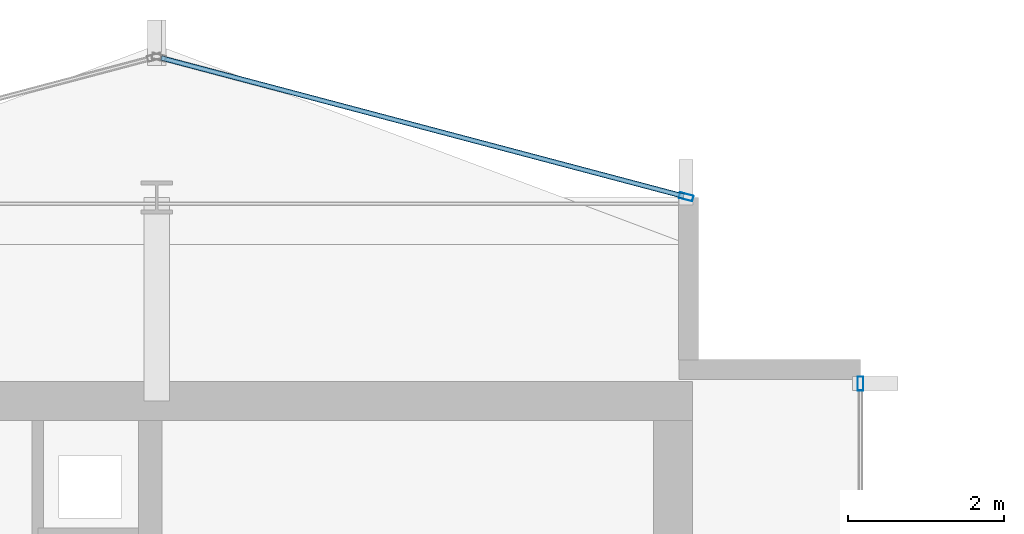
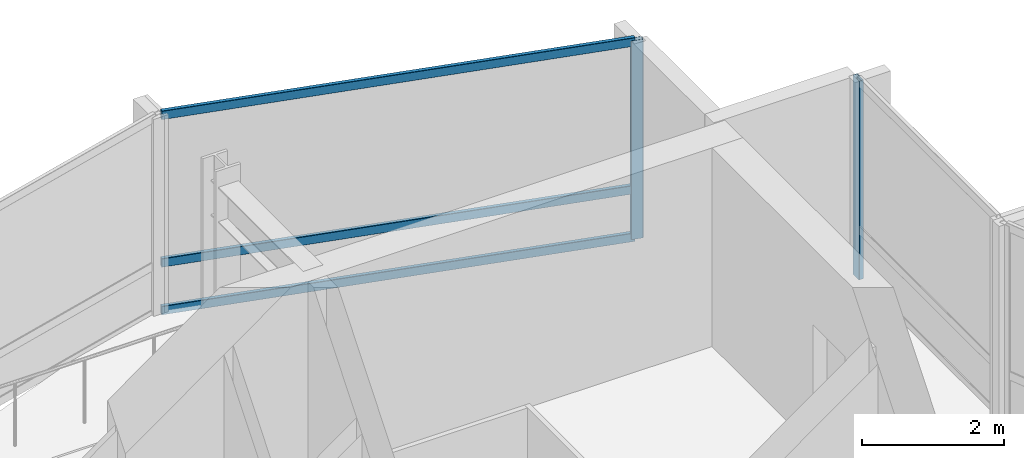
# One storey, part 18 of 27: 5 members, 2 elements without a shape of their own.
"""IFC4 building model written with IfcOpenShell, lengths in metres."""

import ifcopenshell
import ifcopenshell.guid

model = None  # the IFC model being written
_history = None  # IfcOwnerHistory: only IFC2X3 demands one
_inside = {}  # id of a spatial element -> (the spatial element, [elements in it])
_under = {}  # id of a project, library or spatial element -> (it, [spatial elements below it])
_declared = {}  # id of a project -> (the project, [libraries it declares])
_typed = {}  # id of a type object -> (the type object, [elements of that type])
_made_of = {}  # id of a material, layer set ... -> (it, [elements and type objects made of it])


def new_model(schema):
    """Start an empty IFC model of exactly this schema.

    Asked for "IFC4X3", IfcOpenShell would pick the latest addendum, in which some entities
    have other attributes; the version numbers below select the first issue.
    IFC2X3 requires an IfcOwnerHistory on every rooted entity: one is made here for all.
    """
    global model, _history
    if schema == "IFC4X3":
        model = ifcopenshell.file(schema_version=(4, 3, 0, 0))
    else:
        model = ifcopenshell.file(schema=schema)
    _inside.clear()
    _under.clear()
    _declared.clear()
    _typed.clear()
    _made_of.clear()
    _history = None
    if model.schema == "IFC2X3":
        org = make("IfcOrganization", Name="unknown")
        user = make(
            "IfcPersonAndOrganization",
            ThePerson=make("IfcPerson", FamilyName="unknown"),
            TheOrganization=org,
        )
        app = make(
            "IfcApplication",
            ApplicationDeveloper=org,
            Version="unknown",
            ApplicationFullName="unknown",
            ApplicationIdentifier="unknown",
        )
        _history = make(
            "IfcOwnerHistory",
            OwningUser=user,
            OwningApplication=app,
            ChangeAction="ADDED",
            CreationDate=0,
        )
    return model


def make(cls, **values):
    """One entity of the class cls with the attributes given. An attribute that is None is left unset."""
    return model.create_entity(
        cls, **{name: value for name, value in values.items() if value is not None}
    )


def rooted(cls, **values):
    """An entity with a GlobalId (a new one), such as an element, a storey or a relation."""
    return make(cls, GlobalId=ifcopenshell.guid.new(), OwnerHistory=_history, **values)


def si_unit(unit_type, name, prefix=None):
    """IfcSIUnit, for example si_unit("LENGTHUNIT", "METRE", prefix="MILLI")."""
    return make("IfcSIUnit", UnitType=unit_type, Prefix=prefix, Name=name)


def assignment(units):
    """IfcUnitAssignment: the units of a project."""
    return None if units is None else make("IfcUnitAssignment", Units=units)


def point(xyz):
    """IfcCartesianPoint."""
    return None if xyz is None else make("IfcCartesianPoint", Coordinates=xyz)


def direction(xyz):
    """IfcDirection."""
    return None if xyz is None else make("IfcDirection", DirectionRatios=xyz)


def frame(location, z_axis=None, x_axis=None):
    """IfcAxis2Placement3D, a coordinate frame: its origin and axes. An axis left out is left unset."""
    return make(
        "IfcAxis2Placement3D",
        Location=point(location),
        Axis=direction(z_axis),
        RefDirection=direction(x_axis),
    )


def frame_2d(location, x_axis=None):
    """IfcAxis2Placement2D, a coordinate frame in the plane: its origin and x axis."""
    return make(
        "IfcAxis2Placement2D", Location=point(location), RefDirection=direction(x_axis)
    )


def origin():
    """The frame at (0, 0, 0) with its axes left unset."""
    return frame((0.0, 0.0, 0.0))


def origin_2d():
    """The frame at (0, 0) in the plane with its x axis left unset."""
    return frame_2d((0.0, 0.0))


def place(relative_to, where):
    """IfcLocalPlacement: puts the frame where relative to a parent placement (None: the world)."""
    return make(
        "IfcLocalPlacement", PlacementRelTo=relative_to, RelativePlacement=where
    )


def context(
    kind, dimensions, precision=None, world=None, true_north=None, identifier=None
):
    """IfcGeometricRepresentationContext, for example the 3D "Model" context."""
    return make(
        "IfcGeometricRepresentationContext",
        ContextIdentifier=identifier,
        ContextType=kind,
        CoordinateSpaceDimension=dimensions,
        Precision=precision,
        WorldCoordinateSystem=world,
        TrueNorth=true_north,
    )


def subcontext(parent, identifier, kind, view, scale=None):
    """IfcGeometricRepresentationSubContext, for example "Body" below "Model"."""
    return make(
        "IfcGeometricRepresentationSubContext",
        ContextIdentifier=identifier,
        ContextType=kind,
        ParentContext=parent,
        TargetScale=scale,
        TargetView=view,
    )


def project(units=None, contexts=None):
    """IfcProject with its units and contexts."""
    return rooted(
        "IfcProject",
        Name="project",
        RepresentationContexts=contexts,
        UnitsInContext=assignment(units),
    )


def spatial(cls, under=None, at=None, **own):
    """A site, building, storey or space (cls), placed at a placement, below another one or the project."""
    s = rooted(cls, ObjectPlacement=at, **own)
    if under is not None:
        _under.setdefault(under.id(), (under, []))[1].append(s)
    return s


def profile(cls, at=None, kind="AREA", **sizes):
    """A parametric profile (cls). Its sizes go by their IFC names, for example OverallWidth=200.0."""
    return make(cls, ProfileType=kind, Position=at, **sizes)


def hollow_rectangle(**sizes):
    """IfcRectangleHollowProfileDef."""
    return profile("IfcRectangleHollowProfileDef", **sizes)


def extrude(swept, where, along, depth):
    """IfcExtrudedAreaSolid: the profile swept, set in the frame where, extruded along a direction by depth."""
    return make(
        "IfcExtrudedAreaSolid",
        SweptArea=swept,
        Position=where,
        ExtrudedDirection=direction(along),
        Depth=depth,
    )


def shape(context_of_items, identifier, shape_type, items):
    """IfcShapeRepresentation: the items that make up one representation, for example the "Body"."""
    return make(
        "IfcShapeRepresentation",
        ContextOfItems=context_of_items,
        RepresentationIdentifier=identifier,
        RepresentationType=shape_type,
        Items=items,
    )


def material(Name=None, Category=None):
    """IfcMaterial."""
    return make("IfcMaterial", Name=Name, Category=Category)


def layer(
    of_material, thickness, ventilated=None, Name=None, Category=None, Priority=None
):
    """IfcMaterialLayer: one layer of a wall or slab, of a material (None: an air gap)."""
    return make(
        "IfcMaterialLayer",
        Material=of_material,
        LayerThickness=thickness,
        IsVentilated=ventilated,
        Name=Name,
        Category=Category,
        Priority=Priority,
    )


def layer_set(layers, Name=None):
    """IfcMaterialLayerSet."""
    return make("IfcMaterialLayerSet", MaterialLayers=layers, LayerSetName=Name)


def material_profile(
    of_material, cross_section, Name=None, Category=None, Priority=None
):
    """IfcMaterialProfile: a cross section and its material."""
    return make(
        "IfcMaterialProfile",
        Name=Name,
        Material=of_material,
        Profile=cross_section,
        Priority=Priority,
        Category=Category,
    )


def profile_set(profiles, Name=None, composite=None):
    """IfcMaterialProfileSet."""
    return make(
        "IfcMaterialProfileSet",
        Name=Name,
        MaterialProfiles=profiles,
        CompositeProfile=composite,
    )


def made_of(thing, what):
    """Note that an element or type object is made of a material, layer set ...; save() writes the relation."""
    if what is not None:
        _made_of.setdefault(what.id(), (what, []))[1].append(thing)
    return thing


def type_object(cls, material=None, **own):
    """A type object (cls), such as IfcWallType, which elements share."""
    return made_of(rooted(cls, **own), material)


def element(
    cls,
    number,
    at=None,
    inside=None,
    cuts=None,
    type_object=None,
    material=None,
    context=None,
    identifier="Body",
    shape_type=None,
    held_by="IfcProductDefinitionShape",
    body=None,
    shapes=None,
    **own,
):
    """One element of the class cls, such as IfcWall. Its Tag is "e" and its number.

    at: its placement. inside: the storey or other place that contains it. cuts: it is an
    opening in that element (IfcRelVoidsElement). A single representation is given by context,
    identifier, shape_type and body (its items); several are given by shapes. held_by: the class
    of the entity that holds the representations. save() writes the other relations.
    """
    e = rooted(cls, Tag="e%d" % number, ObjectPlacement=at, **own)
    if body is not None:
        shapes = [shape(context, identifier, shape_type, body)]
    if shapes is not None:
        e.Representation = make(held_by, Representations=shapes)
    if inside is not None:
        _inside.setdefault(inside.id(), (inside, []))[1].append(e)
    if cuts is not None:
        rooted(
            "IfcRelVoidsElement", RelatingBuildingElement=cuts, RelatedOpeningElement=e
        )
    if type_object is not None:
        _typed.setdefault(type_object.id(), (type_object, []))[1].append(e)
    return made_of(e, material)


def aggregate(whole, parts):
    """IfcRelAggregates: a whole, such as a stair, and the parts it consists of."""
    return rooted("IfcRelAggregates", RelatingObject=whole, RelatedObjects=parts)


def save(model, path):
    """Write the relations noted so far, then the file.

    IfcRelAggregates (storeys below a building ...), IfcRelContainedInSpatialStructure (elements
    in a storey), IfcRelDefinesByType, IfcRelAssociatesMaterial and IfcRelDeclares: one each for
    every whole, place, type object, material and project.
    """
    for whole, parts in _under.values():
        aggregate(whole, parts)
    for where, things in _inside.values():
        rooted(
            "IfcRelContainedInSpatialStructure",
            RelatedElements=things,
            RelatingStructure=where,
        )
    for kind, things in _typed.values():
        rooted("IfcRelDefinesByType", RelatedObjects=things, RelatingType=kind)
    for what, things in _made_of.values():
        rooted("IfcRelAssociatesMaterial", RelatedObjects=things, RelatingMaterial=what)
    for by, libraries in _declared.values():
        rooted("IfcRelDeclares", RelatingContext=by, RelatedDefinitions=libraries)
    model.write(path)


model = new_model("IFC4")

# Units and contexts
model_context = context("Model", 3, precision=1e-05, world=origin(), true_north=direction((0.0, 1.0)))
body_context = subcontext(model_context, "Body", "Model", "MODEL_VIEW")
ifc_project = project(units=[si_unit("LENGTHUNIT", "METRE"), si_unit("AREAUNIT", "SQUARE_METRE"), si_unit("VOLUMEUNIT", "CUBIC_METRE"), si_unit("PLANEANGLEUNIT", "RADIAN"), si_unit("MASSUNIT", "GRAM", prefix="KILO")], contexts=[model_context])

# Site, building, storey
site_placement = place(None, origin())
site = spatial("IfcSite", under=ifc_project, at=site_placement, CompositionType="ELEMENT")
building_placement = place(site_placement, origin())
building = spatial("IfcBuilding", under=site, at=building_placement, Name="Solvaryn Broadcast Tower", CompositionType="ELEMENT")
storey_placement = place(building_placement, frame((0.0, 0.0, 181.60009765625)))
storey = spatial("IfcBuildingStorey", under=building, at=storey_placement, Name="L45", CompositionType="ELEMENT", Elevation=181.60009765625)

# Curtain wall, member
ifc_material_1 = material(Name="Aluminium and Terracotta Unitised Curtain Wall", Category="masonry")
ifc_layer = layer(ifc_material_1, 0.199951171875)
ifc_layer_set = layer_set([ifc_layer], Name="CW-SYS2-LOWMID")
curtain_wall_type = type_object("IfcCurtainWallType", Name="CW-SYS2-LOWMID", PredefinedType="NOTDEFINED", material=ifc_layer_set)
curtain_wall_1_placement = place(storey_placement, origin())
curtain_wall_1 = element("IfcCurtainWall", 1, at=curtain_wall_1_placement, inside=storey, type_object=curtain_wall_type, Name="L45 Curtain Wall IV", PredefinedType="NOTDEFINED")
ifc_material_2 = material(Name="Anodised Aluminium 6063-T6", Category="aluminium")
ifc_material_profile_1 = material_profile(ifc_material_2, hollow_rectangle(XDim=0.074951171875, YDim=0.179931640625, WallThickness=0.00390625, InnerFilletRadius=0.00390625, OuterFilletRadius=0.008056640625, at=origin_2d()))
ifc_profile_set_1 = profile_set([ifc_material_profile_1], Name="Anodised Aluminium 6063-T6")
member_type_1 = type_object("IfcMemberType", Name="CW-MUL-180", PredefinedType="MULLION", material=ifc_profile_set_1)
member_1_placement = place(storey_placement, frame((27.0, 42.6201171875, 0.0), z_axis=(0.0, 0.0, 1.0), x_axis=(1.0, 0.0, 0.0)))
member_1 = element("IfcMember", 2, at=member_1_placement, type_object=member_type_1, Name="CWS2 mullion 1", PredefinedType="MULLION", context=body_context, shape_type="SweptSolid", body=[
    extrude(hollow_rectangle(XDim=0.074951171875, YDim=0.179931640625, WallThickness=0.00390625, InnerFilletRadius=0.00390625, OuterFilletRadius=0.008056640625, at=origin_2d()), origin(), (0.0, 0.0, 1.0), 3.419921875),
])
aggregate(curtain_wall_1, [member_1])

# Curtain wall, members
curtain_wall_2_placement = place(storey_placement, origin())
curtain_wall_2 = element("IfcCurtainWall", 3, at=curtain_wall_2_placement, inside=storey, type_object=curtain_wall_type, Name="L45 Curtain Wall NT1", PredefinedType="NOTDEFINED")
member_2_placement = place(storey_placement, frame((24.77099609375, 45.007568359375, 0.0), z_axis=(0.0, 0.0, 1.0), x_axis=(-0.25589256031, -0.966705227863, 0.0)))
member_2 = element("IfcMember", 4, at=member_2_placement, type_object=member_type_1, Name="CWS2 mullion 1", PredefinedType="MULLION", context=body_context, shape_type="SweptSolid", body=[
    extrude(hollow_rectangle(XDim=0.074951171875, YDim=0.179931640625, WallThickness=0.00390625, InnerFilletRadius=0.00390625, OuterFilletRadius=0.008056640625, at=origin_2d()), origin(), (0.0, 0.0, 1.0), 3.419921875),
])
ifc_material_3 = material(Name="Anodised Aluminium 6063-T6", Category="aluminium")
ifc_material_profile_2 = material_profile(ifc_material_3, hollow_rectangle(XDim=0.06494140625, YDim=0.14990234375, WallThickness=0.00390625, InnerFilletRadius=0.00390625, OuterFilletRadius=0.008056640625, at=origin_2d()))
ifc_profile_set_2 = profile_set([ifc_material_profile_2], Name="Anodised Aluminium 6063-T6")
member_type_2 = type_object("IfcMemberType", Name="CW-TRN-150", PredefinedType="USERDEFINED", material=ifc_profile_set_2)
member_3_placement = place(storey_placement, frame((24.741943359375, 45.015380859375, 0.02978515625), z_axis=(-0.966703943301, 0.255897413051, 0.0), x_axis=(-0.255897413051, -0.966703943301, 0.0)))
member_3 = element("IfcMember", 5, at=member_3_placement, type_object=member_type_2, Name="CWS2 transom 1.1", ObjectType="TRANSOM", PredefinedType="USERDEFINED", context=body_context, shape_type="SweptSolid", body=[
    extrude(hollow_rectangle(XDim=0.06494140625, YDim=0.14990234375, WallThickness=0.00390625, InnerFilletRadius=0.00390625, OuterFilletRadius=0.008056640625, at=origin_2d()), origin(), (0.0, 0.0, 1.0), 6.9140625),
])
member_4_placement = place(storey_placement, frame((24.741943359375, 45.015380859375, 0.849853515625), z_axis=(-0.966703943301, 0.255897413051, 0.0), x_axis=(-0.255897413051, -0.966703943301, 0.0)))
member_4 = element("IfcMember", 6, at=member_4_placement, type_object=member_type_2, Name="CWS2 transom 1.2", ObjectType="TRANSOM", PredefinedType="USERDEFINED", context=body_context, shape_type="SweptSolid", body=[
    extrude(hollow_rectangle(XDim=0.06494140625, YDim=0.14990234375, WallThickness=0.00390625, InnerFilletRadius=0.00390625, OuterFilletRadius=0.008056640625, at=origin_2d()), origin(), (0.0, 0.0, 1.0), 6.9140625),
])
member_5_placement = place(storey_placement, frame((24.741943359375, 45.015380859375, 3.389892578125), z_axis=(-0.966703943301, 0.255897413051, 0.0), x_axis=(-0.255897413051, -0.966703943301, 0.0)))
member_5 = element("IfcMember", 7, at=member_5_placement, type_object=member_type_2, Name="CWS2 transom 1.3", ObjectType="TRANSOM", PredefinedType="USERDEFINED", context=body_context, shape_type="SweptSolid", body=[
    extrude(hollow_rectangle(XDim=0.06494140625, YDim=0.14990234375, WallThickness=0.00390625, InnerFilletRadius=0.00390625, OuterFilletRadius=0.008056640625, at=origin_2d()), origin(), (0.0, 0.0, 1.0), 6.9140625),
])
aggregate(curtain_wall_2, [member_2, member_3, member_4, member_5])

save(model, "model.ifc")
